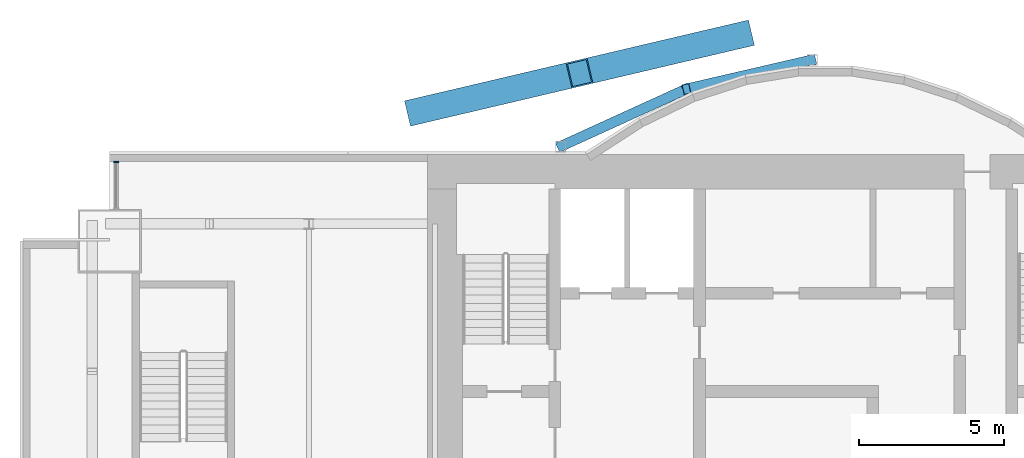
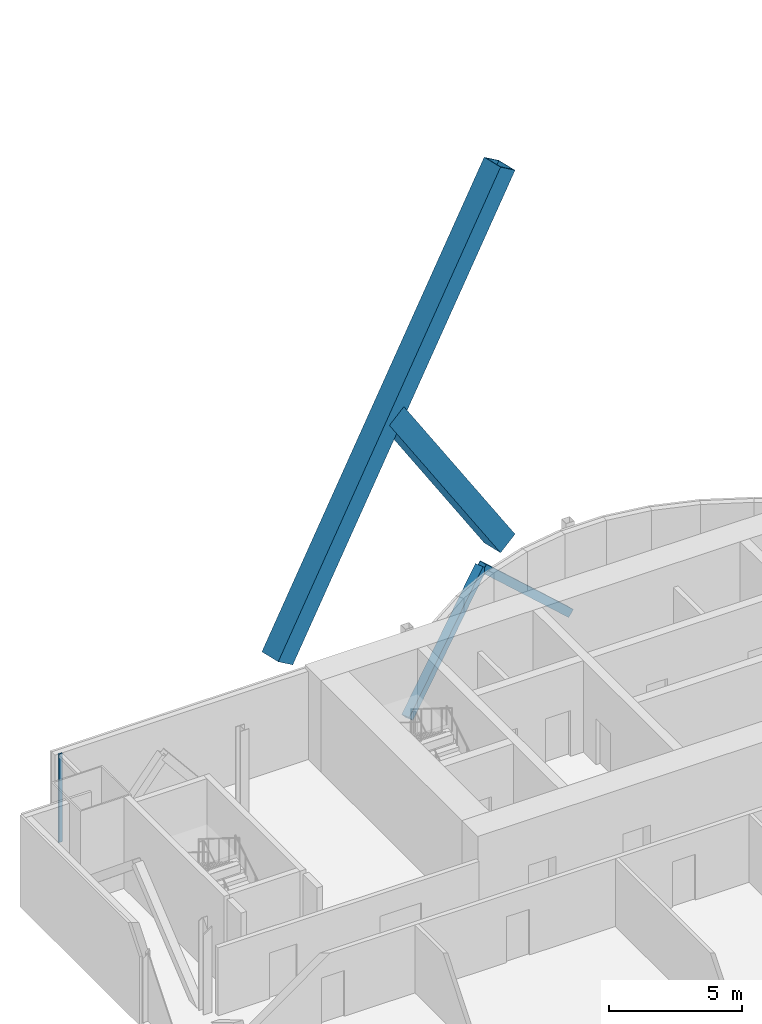
# One storey, part 12 of 22: 5 members, 1 element without a shape of its own.
"""IFC4 building model written with IfcOpenShell, lengths in metres."""

from ifc_helpers import new_model, si_unit, direction, frame, origin, origin_2d, place, context, subcontext, project, spatial, rectangle, hollow_rectangle, extrude, material, material_profile, profile_set, type_object, element, aggregate, save


model = new_model("IFC4")

# Units and contexts
model_context = context("Model", 3, precision=1e-05, world=origin(), true_north=direction((0.0, 1.0)))
body_context = subcontext(model_context, "Body", "Model", "MODEL_VIEW")
ifc_project = project(units=[si_unit("LENGTHUNIT", "METRE"), si_unit("AREAUNIT", "SQUARE_METRE"), si_unit("VOLUMEUNIT", "CUBIC_METRE"), si_unit("PLANEANGLEUNIT", "RADIAN"), si_unit("MASSUNIT", "GRAM", prefix="KILO")], contexts=[model_context])

# Site, building, storey
site_placement = place(None, origin())
site = spatial("IfcSite", under=ifc_project, at=site_placement, CompositionType="ELEMENT")
building_placement = place(site_placement, origin())
building = spatial("IfcBuilding", under=site, at=building_placement, Name="Bicima Exchange Tower", CompositionType="ELEMENT")
storey_placement = place(building_placement, frame((0.0, 0.0, 254.0)))
storey = spatial("IfcBuildingStorey", under=building, at=storey_placement, Name="L57", CompositionType="ELEMENT", Elevation=254.0)

# Members
ifc_material_1 = material(Name="Steel ASTM A572 Gr 50", Category="steel")
ifc_material_profile_1 = material_profile(ifc_material_1, hollow_rectangle(XDim=0.89990234375, YDim=0.89990234375, WallThickness=0.050048828125, at=origin_2d()))
ifc_profile_set_1 = profile_set([ifc_material_profile_1], Name="Steel ASTM A572 Gr 50")
member_type_1 = type_object("IfcMemberType", Name="Exo mega brace BOX 900x900x50", PredefinedType="BRACE", material=ifc_profile_set_1)
member_1_placement = place(storey_placement, frame((-22.333251953125, 1.5, 3.699951171875), z_axis=(0.540119586829, 0.126970260999, 0.831955157893), x_axis=(-0.228840031766, 0.973464041381, 0.0)))
element("IfcMember", 1, at=member_1_placement, inside=storey, type_object=member_type_1, Name="Exo mega brace rear", PredefinedType="BRACE", context=body_context, shape_type="SweptSolid", body=[
    extrude(hollow_rectangle(XDim=0.89990234375, YDim=0.89990234375, WallThickness=0.050048828125, at=origin_2d()), origin(), (0.0, 0.0, 1.0), 20.674072265625),
])
member_2_placement = place(storey_placement, frame((-11.166748046875, 4.125, 3.699951171875), z_axis=(-0.540114280438, -0.126969013583, 0.831958793244), x_axis=(0.228840031766, -0.973464041381, 0.0)))
element("IfcMember", 2, at=member_2_placement, inside=storey, type_object=member_type_1, Name="Exo mega brace rear", PredefinedType="BRACE", context=body_context, shape_type="SweptSolid", body=[
    extrude(hollow_rectangle(XDim=0.89990234375, YDim=0.89990234375, WallThickness=0.050048828125, at=origin_2d()), origin(), (0.0, 0.0, 1.0), 10.337158203125),
])

# Curtain wall, member
ifc_material_2 = material(Name="Anodised bronze aluminium", Category="aluminium")
curtain_wall_type = type_object("IfcCurtainWallType", Name="Front glass wall", PredefinedType="NOTDEFINED", material=ifc_material_2)
curtain_wall_placement = place(storey_placement, origin())
curtain_wall = element("IfcCurtainWall", 3, at=curtain_wall_placement, inside=storey, type_object=curtain_wall_type, Name="Front glass wall L57 run 1", PredefinedType="NOTDEFINED")
ifc_material_profile_2 = material_profile(ifc_material_2, rectangle(XDim=0.159912109375, YDim=0.06005859375, at=origin_2d()))
ifc_profile_set_2 = profile_set([ifc_material_profile_2], Name="Anodised bronze aluminium")
member_type_2 = type_object("IfcMemberType", Name="Front glass wall mullion 60 x 160", PredefinedType="MULLION", material=ifc_profile_set_2)
member_3_placement = place(storey_placement, frame((-32.77001953125, -0.260009765625, 0.0), z_axis=(0.0, 0.0, 1.0), x_axis=(1.0, 0.0, 0.0)))
member_3 = element("IfcMember", 4, at=member_3_placement, type_object=member_type_2, Name="Front glass wall mullion 1", PredefinedType="MULLION", context=body_context, shape_type="SweptSolid", body=[
    extrude(rectangle(XDim=0.159912109375, YDim=0.06005859375, at=origin_2d()), origin(), (0.0, 0.0, 1.0), 4.050048828125),
])
aggregate(curtain_wall, [member_3])

# Members
ifc_material_profile_3 = material_profile(ifc_material_1, hollow_rectangle(XDim=0.355712890625, YDim=0.355712890625, WallThickness=0.0146484375, at=origin_2d()))
ifc_profile_set_3 = profile_set([ifc_material_profile_3], Name="Steel ASTM A572 Gr 50")
member_type_3 = type_object("IfcMemberType", Name="Mega brace HSS14x14x5/8", PredefinedType="BRACE", material=ifc_profile_set_3)
member_4_placement = place(storey_placement, frame((-17.39990234375, 0.278076171875, 0.0), z_axis=(0.683525692449, 0.311819993726, 0.659970392726), x_axis=(-0.415045223819, 0.909800781592, 0.0)))
element("IfcMember", 5, at=member_4_placement, inside=storey, type_object=member_type_3, Name="Mega brace rexo", PredefinedType="BRACE", context=body_context, shape_type="SweptSolid", body=[
    extrude(hollow_rectangle(XDim=0.355712890625, YDim=0.355712890625, WallThickness=0.0146484375, at=origin_2d()), origin(), (0.0, 0.0, 1.0), 6.36376953125),
])
member_5_placement = place(storey_placement, frame((-8.699951171875, 3.26904296875, 0.0), z_axis=(-0.709647653042, -0.164209073605, 0.68515369712), x_axis=(0.225438503722, -0.974257399787, 0.0)))
element("IfcMember", 6, at=member_5_placement, inside=storey, type_object=member_type_3, Name="Mega brace rexo", PredefinedType="BRACE", context=body_context, shape_type="SweptSolid", body=[
    extrude(hollow_rectangle(XDim=0.355712890625, YDim=0.355712890625, WallThickness=0.0146484375, at=origin_2d()), origin(), (0.0, 0.0, 1.0), 6.1298828125),
])

save(model, "model.ifc")
